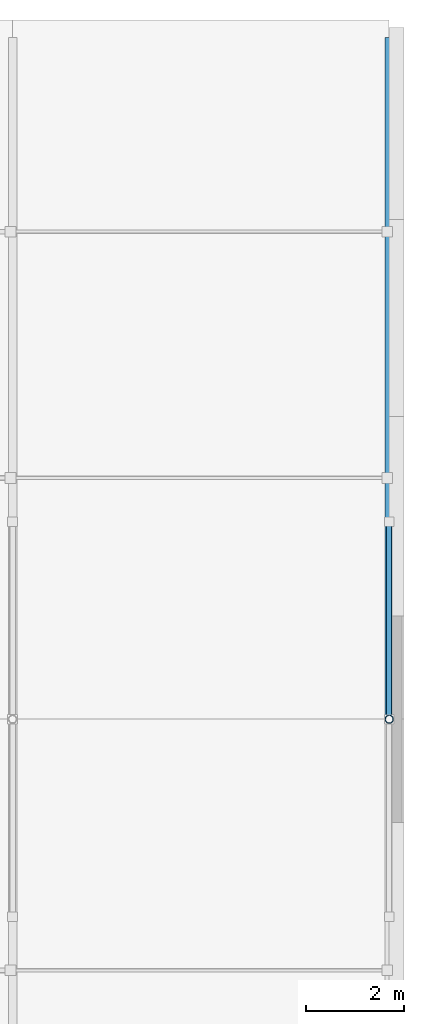
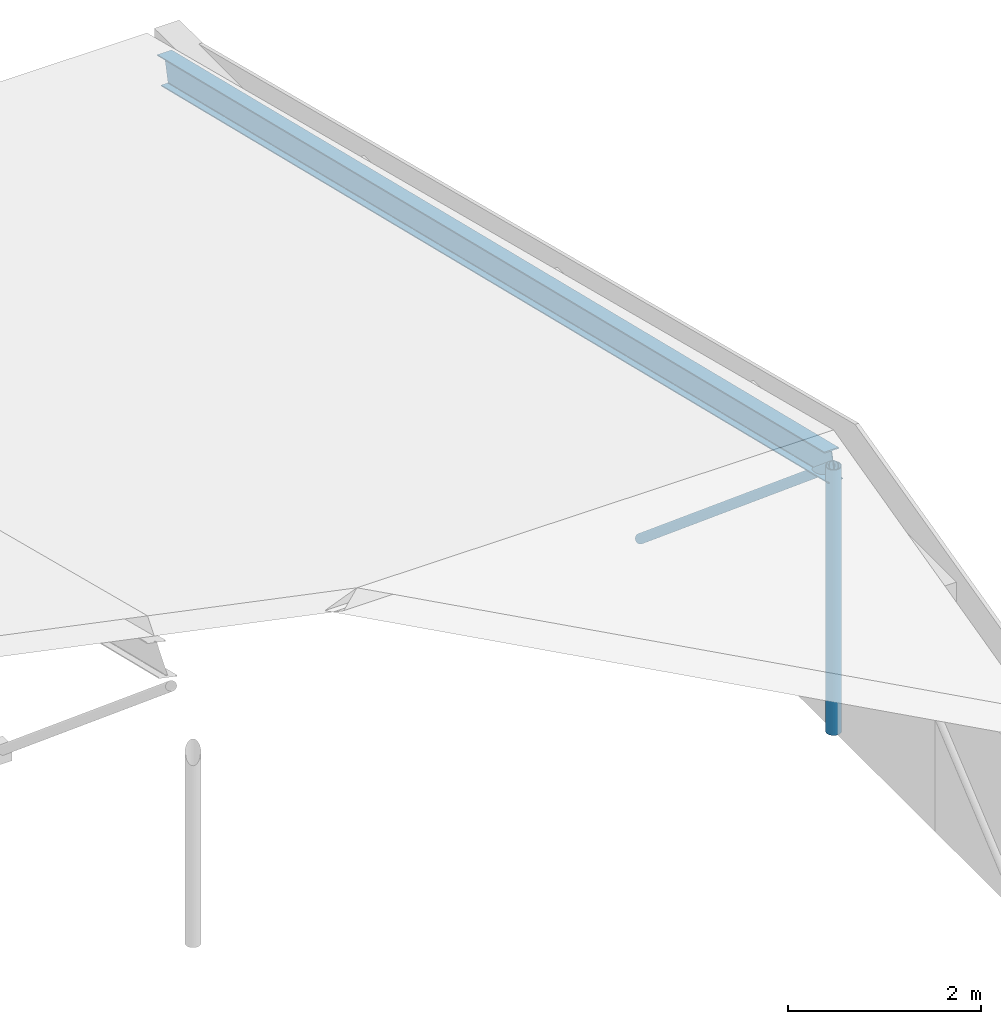
# One storey, part 40 of 65: 3 members.
"""IFC4 building model written with IfcOpenShell, lengths in metres."""

from ifc_helpers import new_model, si_unit, direction, frame, origin, origin_2d, place, context, subcontext, project, spatial, hollow_circle, i_section, extrude, material, material_profile, profile_set, type_object, element, save


model = new_model("IFC4")

# Units and contexts
model_context = context("Model", 3, precision=1e-05, world=origin(), true_north=direction((0.0, 1.0)))
body_context = subcontext(model_context, "Body", "Model", "MODEL_VIEW")
ifc_project = project(units=[si_unit("LENGTHUNIT", "METRE"), si_unit("AREAUNIT", "SQUARE_METRE"), si_unit("VOLUMEUNIT", "CUBIC_METRE"), si_unit("PLANEANGLEUNIT", "RADIAN"), si_unit("MASSUNIT", "GRAM", prefix="KILO")], contexts=[model_context])

# Site, building, storey
site_placement = place(None, origin())
site = spatial("IfcSite", under=ifc_project, at=site_placement, CompositionType="ELEMENT")
building_placement = place(site_placement, origin())
building = spatial("IfcBuilding", under=site, at=building_placement, Name="Quillay Park Conservatory", CompositionType="ELEMENT")
storey_placement = place(building_placement, frame((0.0, 0.0, 14.10009765625)))
storey = spatial("IfcBuildingStorey", under=building, at=storey_placement, Name="L03", CompositionType="ELEMENT", Elevation=14.10009765625)

# Members
ifc_material_1 = material(Name="Steel S355J2H", Category="steel")
ifc_material_profile_1 = material_profile(ifc_material_1, hollow_circle(Radius=0.05712890625, WallThickness=0.00634765625, at=origin_2d()), Name="CHS114.3x6.3")
ifc_profile_set_1 = profile_set([ifc_material_profile_1], Name="Steel S355J2H")
member_type_1 = type_object("IfcMemberType", Name="CANOPY TIE STRUT CHS114", PredefinedType="STRUT", material=ifc_profile_set_1)
member_1_placement = place(storey_placement, frame((163.85009765625, 103.60009765625, -1.5), z_axis=(0.0, -0.766661786486, 0.642051170189), x_axis=(1.0, 0.0, 0.0)))
element("IfcMember", 1, at=member_1_placement, inside=storey, type_object=member_type_1, Name="Gridshell member AUD-STR-DN7", PredefinedType="STRUT", context=body_context, shape_type="SweptSolid", body=[
    extrude(hollow_circle(Radius=0.05712890625, WallThickness=0.00634765625, at=origin_2d()), origin(), (0.0, 0.0, 1.0), 5.217529296875),
])
ifc_material_2 = material(Name="Steel S355J2H", Category="steel")
ifc_material_profile_2 = material_profile(ifc_material_2, hollow_circle(Radius=0.084228515625, WallThickness=0.008056640625, at=origin_2d()), Name="CHS168.3x8")
ifc_profile_set_2 = profile_set([ifc_material_profile_2], Name="Steel S355J2H")
member_type_2 = type_object("IfcMemberType", Name="CANOPY TIE STRUT CHS168", PredefinedType="STRUT", material=ifc_profile_set_2)
member_2_placement = place(storey_placement, frame((163.85009765625, 99.60009765625, -1.5), z_axis=(0.0, 0.0, 1.0), x_axis=(1.0, 0.0, 0.0)))
element("IfcMember", 2, at=member_2_placement, inside=storey, type_object=member_type_2, Name="Gridshell member AUD-STR-K7", PredefinedType="STRUT", context=body_context, shape_type="SweptSolid", body=[
    extrude(hollow_circle(Radius=0.084228515625, WallThickness=0.008056640625, at=origin_2d()), origin(), (0.0, 0.0, 1.0), 3.349853515625),
])
ifc_material_3 = material(Name="Steel ASTM A992 Grade 50", Category="steel")
ifc_material_profile_3 = material_profile(ifc_material_3, i_section(OverallWidth=0.172119140625, OverallDepth=0.35791015625, WebThickness=0.0078125, FlangeThickness=0.01318359375, FilletRadius=0.010986328125, at=origin_2d()), Name="W360x57")
ifc_profile_set_3 = profile_set([ifc_material_profile_3], Name="Steel ASTM A992 Grade 50")
member_type_3 = type_object("IfcMemberType", Name="FOLDED ROOF RAFTER W360", PredefinedType="RAFTER", material=ifc_profile_set_3)
member_3_placement = place(storey_placement, frame((163.85009765625, 99.60009765625, 1.849853515625), z_axis=(0.0, 0.971778368893, -0.235895743394), x_axis=(-1.0, 0.0, 0.0)))
element("IfcMember", 3, at=member_3_placement, inside=storey, type_object=member_type_3, Name="Gridshell member AUD-RAF-N7", PredefinedType="RAFTER", context=body_context, shape_type="SweptSolid", body=[
    extrude(i_section(OverallWidth=0.172119140625, OverallDepth=0.35791015625, WebThickness=0.0078125, FlangeThickness=0.01318359375, FilletRadius=0.010986328125, at=origin_2d()), origin(), (0.0, 0.0, 1.0), 14.20068359375),
])

save(model, "model.ifc")
